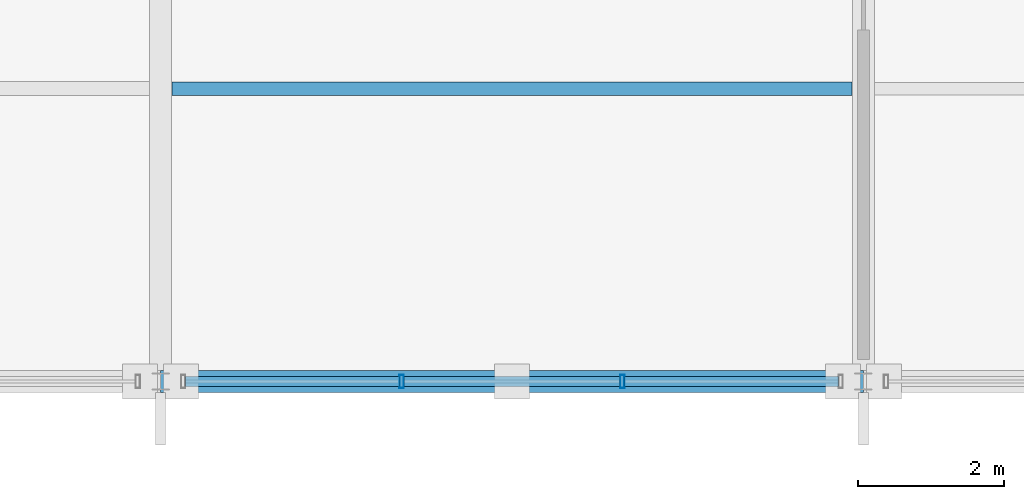
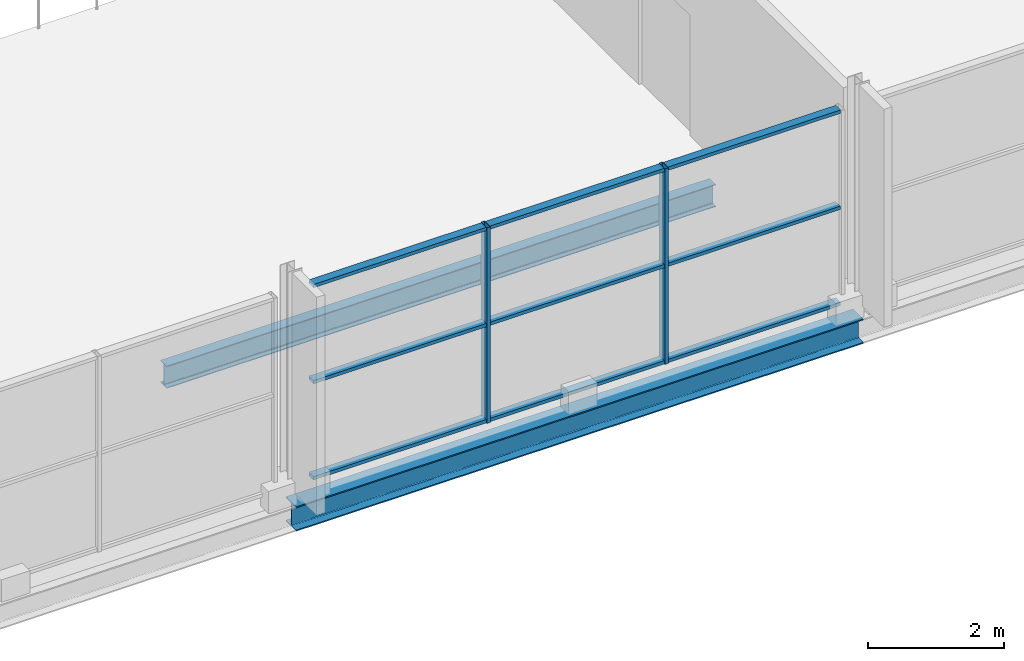
# One storey, part 27 of 117: 11 members, 2 beams, 1 element without a shape of its own.
"""IFC4 building model written with IfcOpenShell, lengths in metres."""

from ifc_helpers import new_model, si_unit, direction, frame, origin, origin_2d, place, context, subcontext, project, spatial, hollow_rectangle, i_section, extrude, material, material_profile, profile_set, type_object, element, aggregate, save


model = new_model("IFC4")

# Units and contexts
model_context = context("Model", 3, precision=1e-05, world=origin(), true_north=direction((0.0, 1.0)))
body_context = subcontext(model_context, "Body", "Model", "MODEL_VIEW")
ifc_project = project(units=[si_unit("LENGTHUNIT", "METRE"), si_unit("AREAUNIT", "SQUARE_METRE"), si_unit("VOLUMEUNIT", "CUBIC_METRE"), si_unit("PLANEANGLEUNIT", "RADIAN"), si_unit("MASSUNIT", "GRAM", prefix="KILO")], contexts=[model_context])

# Site, building, storey
site_placement = place(None, origin())
site = spatial("IfcSite", under=ifc_project, at=site_placement, CompositionType="ELEMENT")
building_placement = place(site_placement, origin())
building = spatial("IfcBuilding", under=site, at=building_placement, Name="Merenkruunu Market Hall", CompositionType="ELEMENT")
storey_placement = place(building_placement, frame((0.0, 0.0, 10.199951171875)))
storey = spatial("IfcBuildingStorey", under=building, at=storey_placement, Name="L02", CompositionType="ELEMENT", Elevation=10.199951171875)

# Curtain wall, members
ifc_material_1 = material(Name="Powder-coated aluminium", Category="aluminium")
curtain_wall_type = type_object("IfcCurtainWallType", Name="Glazed Curtain Wall CW10", PredefinedType="USERDEFINED", material=ifc_material_1)
curtain_wall_placement = place(storey_placement, origin())
curtain_wall = element("IfcCurtainWall", 1, at=curtain_wall_placement, inside=storey, type_object=curtain_wall_type, Name="CW-L02-CWM02-033", ObjectType="GLAZED_FACADE", PredefinedType="USERDEFINED")
ifc_material_profile_1 = material_profile(ifc_material_1, hollow_rectangle(XDim=0.06005859375, YDim=0.179931640625, WallThickness=0.00390625, at=origin_2d()), Name="ALU 60x180x4")
ifc_profile_set_1 = profile_set([ifc_material_profile_1], Name="Powder-coated aluminium")
member_type_1 = type_object("IfcMemberType", Name="Curtain Wall Mullion CWM02", PredefinedType="MULLION", material=ifc_profile_set_1)
member_1_placement = place(storey_placement, frame((44.706787109375, 15.60009765625, 0.0), z_axis=(0.0, 0.0, 1.0), x_axis=(-1.0, 0.0, 0.0)))
member_1 = element("IfcMember", 2, at=member_1_placement, type_object=member_type_1, Name="CW10 mullion 2", PredefinedType="MULLION", context=body_context, shape_type="SweptSolid", body=[
    extrude(hollow_rectangle(XDim=0.06005859375, YDim=0.179931640625, WallThickness=0.00390625, at=origin_2d()), origin(), (0.0, 0.0, 1.0), 3.5),
])
member_2_placement = place(storey_placement, frame((41.693359375, 15.60009765625, 0.0), z_axis=(0.0, 0.0, 1.0), x_axis=(-1.0, 0.0, 0.0)))
member_2 = element("IfcMember", 3, at=member_2_placement, type_object=member_type_1, Name="CW10 mullion 3", PredefinedType="MULLION", context=body_context, shape_type="SweptSolid", body=[
    extrude(hollow_rectangle(XDim=0.06005859375, YDim=0.179931640625, WallThickness=0.00390625, at=origin_2d()), origin(), (0.0, 0.0, 1.0), 3.5),
])
ifc_material_profile_2 = material_profile(ifc_material_1, hollow_rectangle(XDim=0.06005859375, YDim=0.139892578125, WallThickness=0.00390625, at=origin_2d()), Name="ALU 60x140x4")
ifc_profile_set_2 = profile_set([ifc_material_profile_2], Name="Powder-coated aluminium")
member_type_2 = type_object("IfcMemberType", Name="Curtain Wall Transom CWT02", PredefinedType="USERDEFINED", material=ifc_profile_set_2)
member_3_placement = place(storey_placement, frame((47.659912109375, 15.60009765625, 0.030029296875), z_axis=(-1.0, 0.0, 0.0), x_axis=(0.0, 0.0, 1.0)))
member_3 = element("IfcMember", 4, at=member_3_placement, type_object=member_type_2, Name="CW10 transom 1.1", ObjectType="TRANSOM", PredefinedType="USERDEFINED", context=body_context, shape_type="SweptSolid", body=[
    extrude(hollow_rectangle(XDim=0.06005859375, YDim=0.139892578125, WallThickness=0.00390625, at=origin_2d()), origin(), (0.0, 0.0, 1.0), 2.92333984375),
])
member_4_placement = place(storey_placement, frame((47.659912109375, 15.60009765625, 1.75), z_axis=(-1.0, 0.0, 0.0), x_axis=(0.0, 0.0, 1.0)))
member_4 = element("IfcMember", 5, at=member_4_placement, type_object=member_type_2, Name="CW10 transom 1.2", ObjectType="TRANSOM", PredefinedType="USERDEFINED", context=body_context, shape_type="SweptSolid", body=[
    extrude(hollow_rectangle(XDim=0.06005859375, YDim=0.139892578125, WallThickness=0.00390625, at=origin_2d()), origin(), (0.0, 0.0, 1.0), 2.92333984375),
])
member_5_placement = place(storey_placement, frame((47.659912109375, 15.60009765625, 3.469970703125), z_axis=(-1.0, 0.0, 0.0), x_axis=(0.0, 0.0, 1.0)))
member_5 = element("IfcMember", 6, at=member_5_placement, type_object=member_type_2, Name="CW10 transom 1.3", ObjectType="TRANSOM", PredefinedType="USERDEFINED", context=body_context, shape_type="SweptSolid", body=[
    extrude(hollow_rectangle(XDim=0.06005859375, YDim=0.139892578125, WallThickness=0.00390625, at=origin_2d()), origin(), (0.0, 0.0, 1.0), 2.92333984375),
])
member_6_placement = place(storey_placement, frame((44.6767578125, 15.60009765625, 0.030029296875), z_axis=(-1.0, 0.0, 0.0), x_axis=(0.0, 0.0, 1.0)))
member_6 = element("IfcMember", 7, at=member_6_placement, type_object=member_type_2, Name="CW10 transom 2.1", ObjectType="TRANSOM", PredefinedType="USERDEFINED", context=body_context, shape_type="SweptSolid", body=[
    extrude(hollow_rectangle(XDim=0.06005859375, YDim=0.139892578125, WallThickness=0.00390625, at=origin_2d()), origin(), (0.0, 0.0, 1.0), 2.953369140625),
])
member_7_placement = place(storey_placement, frame((44.6767578125, 15.60009765625, 1.75), z_axis=(-1.0, 0.0, 0.0), x_axis=(0.0, 0.0, 1.0)))
member_7 = element("IfcMember", 8, at=member_7_placement, type_object=member_type_2, Name="CW10 transom 2.2", ObjectType="TRANSOM", PredefinedType="USERDEFINED", context=body_context, shape_type="SweptSolid", body=[
    extrude(hollow_rectangle(XDim=0.06005859375, YDim=0.139892578125, WallThickness=0.00390625, at=origin_2d()), origin(), (0.0, 0.0, 1.0), 2.953369140625),
])
member_8_placement = place(storey_placement, frame((44.6767578125, 15.60009765625, 3.469970703125), z_axis=(-1.0, 0.0, 0.0), x_axis=(0.0, 0.0, 1.0)))
member_8 = element("IfcMember", 9, at=member_8_placement, type_object=member_type_2, Name="CW10 transom 2.3", ObjectType="TRANSOM", PredefinedType="USERDEFINED", context=body_context, shape_type="SweptSolid", body=[
    extrude(hollow_rectangle(XDim=0.06005859375, YDim=0.139892578125, WallThickness=0.00390625, at=origin_2d()), origin(), (0.0, 0.0, 1.0), 2.953369140625),
])
member_9_placement = place(storey_placement, frame((41.663330078125, 15.60009765625, 0.030029296875), z_axis=(-1.0, 0.0, 0.0), x_axis=(0.0, 0.0, 1.0)))
member_9 = element("IfcMember", 10, at=member_9_placement, type_object=member_type_2, Name="CW10 transom 3.1", ObjectType="TRANSOM", PredefinedType="USERDEFINED", context=body_context, shape_type="SweptSolid", body=[
    extrude(hollow_rectangle(XDim=0.06005859375, YDim=0.139892578125, WallThickness=0.00390625, at=origin_2d()), origin(), (0.0, 0.0, 1.0), 2.92333984375),
])
member_10_placement = place(storey_placement, frame((41.663330078125, 15.60009765625, 1.75), z_axis=(-1.0, 0.0, 0.0), x_axis=(0.0, 0.0, 1.0)))
member_10 = element("IfcMember", 11, at=member_10_placement, type_object=member_type_2, Name="CW10 transom 3.2", ObjectType="TRANSOM", PredefinedType="USERDEFINED", context=body_context, shape_type="SweptSolid", body=[
    extrude(hollow_rectangle(XDim=0.06005859375, YDim=0.139892578125, WallThickness=0.00390625, at=origin_2d()), origin(), (0.0, 0.0, 1.0), 2.92333984375),
])
member_11_placement = place(storey_placement, frame((41.663330078125, 15.60009765625, 3.469970703125), z_axis=(-1.0, 0.0, 0.0), x_axis=(0.0, 0.0, 1.0)))
member_11 = element("IfcMember", 12, at=member_11_placement, type_object=member_type_2, Name="CW10 transom 3.3", ObjectType="TRANSOM", PredefinedType="USERDEFINED", context=body_context, shape_type="SweptSolid", body=[
    extrude(hollow_rectangle(XDim=0.06005859375, YDim=0.139892578125, WallThickness=0.00390625, at=origin_2d()), origin(), (0.0, 0.0, 1.0), 2.92333984375),
])
aggregate(curtain_wall, [member_1, member_2, member_3, member_4, member_5, member_6, member_7, member_8, member_9, member_10, member_11])

# Beams
ifc_material_2 = material(Name="Steel S355J2", Category="steel")
ifc_material_profile_3 = material_profile(ifc_material_2, i_section(OverallWidth=0.300048828125, OverallDepth=0.43994140625, WebThickness=0.011474609375, FlangeThickness=0.02099609375, FilletRadius=0.027099609375, at=origin_2d()), Name="HEA 450")
ifc_profile_set_3 = profile_set([ifc_material_profile_3], Name="Steel S355J2")
beam_type_1 = type_object("IfcBeamType", Name="Primary Floor Girder B07", PredefinedType="BEAM", material=ifc_profile_set_3)
beam_1_placement = place(storey_placement, frame((38.39990234375, 15.60009765625, -0.530029296875), z_axis=(1.0, 0.0, 0.0), x_axis=(0.0, 1.0, 0.0)))
element("IfcBeam", 13, at=beam_1_placement, inside=storey, type_object=beam_type_1, Name="BM-L02-B07-0746", PredefinedType="BEAM", context=body_context, shape_type="SweptSolid", body=[
    extrude(i_section(OverallWidth=0.300048828125, OverallDepth=0.43994140625, WebThickness=0.011474609375, FlangeThickness=0.02099609375, FilletRadius=0.027099609375, at=origin_2d()), origin(), (0.0, 0.0, 1.0), 9.60009765625),
])
ifc_material_profile_4 = material_profile(ifc_material_2, i_section(OverallWidth=0.179931640625, OverallDepth=0.39990234375, WebThickness=0.008544921875, FlangeThickness=0.013427734375, FilletRadius=0.02099609375, at=origin_2d()), Name="IPE 400")
ifc_profile_set_4 = profile_set([ifc_material_profile_4], Name="Steel S355J2")
beam_type_2 = type_object("IfcBeamType", Name="Secondary Floor Joist J02", PredefinedType="JOIST", material=ifc_profile_set_4)
beam_2_placement = place(storey_placement, frame((38.552978515625, 19.60009765625, -0.510009765625), z_axis=(1.0, 0.0, 0.0), x_axis=(0.0, 1.0, 0.0)))
element("IfcBeam", 14, at=beam_2_placement, inside=storey, type_object=beam_type_2, Name="BM-L02-J02-0820", PredefinedType="JOIST", context=body_context, shape_type="SweptSolid", body=[
    extrude(i_section(OverallWidth=0.179931640625, OverallDepth=0.39990234375, WebThickness=0.008544921875, FlangeThickness=0.013427734375, FilletRadius=0.02099609375, at=origin_2d()), origin(), (0.0, 0.0, 1.0), 9.2939453125),
])

save(model, "model.ifc")
